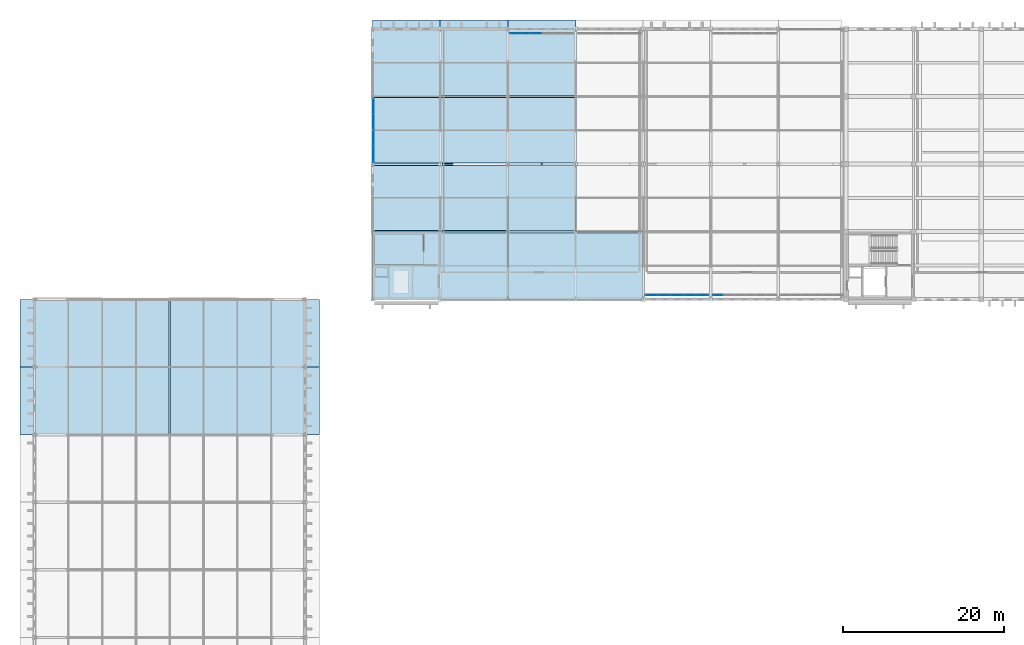
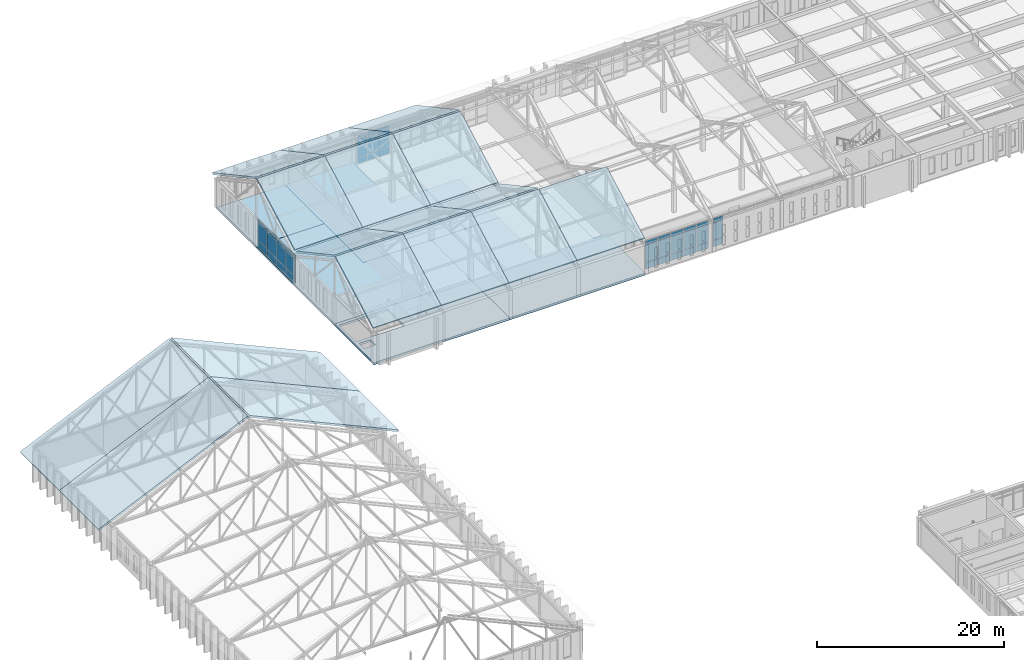
# One storey, part 58 of 110: 39 plates, 22 slabs, 4 elements without a shape of their own.
"""IFC4 building model written with IfcOpenShell, lengths in metres."""

from ifc_helpers import new_model, si_unit, direction, frame, origin, origin_2d, place, context, subcontext, project, spatial, polyline, rectangle, outline, extrude, material, layer, layer_set, type_object, element, aggregate, save


model = new_model("IFC4")

# Units and contexts
model_context = context("Model", 3, precision=1e-05, world=origin(), true_north=direction((0.0, 1.0)))
body_context = subcontext(model_context, "Body", "Model", "MODEL_VIEW")
ifc_project = project(units=[si_unit("LENGTHUNIT", "METRE"), si_unit("AREAUNIT", "SQUARE_METRE"), si_unit("VOLUMEUNIT", "CUBIC_METRE"), si_unit("PLANEANGLEUNIT", "RADIAN"), si_unit("MASSUNIT", "GRAM", prefix="KILO")], contexts=[model_context])

# Site, building, storey
site_placement = place(None, origin())
site = spatial("IfcSite", under=ifc_project, at=site_placement, CompositionType="ELEMENT")
building_placement = place(site_placement, origin())
building = spatial("IfcBuilding", under=site, at=building_placement, Name="Kveldsbrygga Polytechnic", CompositionType="ELEMENT")
storey_placement = place(building_placement, frame((0.0, 0.0, 9.860107421875)))
storey = spatial("IfcBuildingStorey", under=building, at=storey_placement, Name="L02", CompositionType="ELEMENT", Elevation=9.860107421875)

# Curtain wall, plates
ifc_material_1 = material(Name="Anodised aluminium AW-6060", Category="aluminium")
ifc_layer_1 = layer(ifc_material_1, 0.179931640625)
ifc_layer_set_1 = layer_set([ifc_layer_1], Name="Anodised aluminium AW-6060")
curtain_wall_type_1 = type_object("IfcCurtainWallType", Name="CW-CONC-A", PredefinedType="USERDEFINED", material=ifc_layer_set_1)
curtain_wall_1_placement = place(storey_placement, origin())
curtain_wall_1 = element("IfcCurtainWall", 1, at=curtain_wall_1_placement, inside=storey, type_object=curtain_wall_type_1, Name="Curtain Wall CW-L02-X-07-14", ObjectType="UNITISED CURTAIN WALL", PredefinedType="USERDEFINED")
ifc_material_2 = material(Name="Insulated triple low-E glass", Category="glass")
ifc_layer_2 = layer(ifc_material_2, 0.035888671875)
ifc_layer_set_2 = layer_set([ifc_layer_2], Name="Insulated triple low-E glass")
plate_type_1 = type_object("IfcPlateType", Name="CW-PAN-VIS36", PredefinedType="CURTAIN_PANEL", material=ifc_layer_set_2)
plate_1_placement = place(storey_placement, frame((59.67626953125, 117.050048828125, 0.059814453125), z_axis=(0.0, 0.0, 1.0), x_axis=(1.0, 0.0, 0.0)))
plate_1 = element("IfcPlate", 2, at=plate_1_placement, type_object=plate_type_1, Name="CW-01 panel 1.1", PredefinedType="CURTAIN_PANEL", context=body_context, shape_type="SweptSolid", body=[
    extrude(rectangle(XDim=1.242431640625, YDim=0.035888671875, at=origin_2d()), origin(), (0.0, 0.0, 1.0), 0.81005859375),
])
plate_2_placement = place(storey_placement, frame((59.67626953125, 117.050048828125, 0.929931640625), z_axis=(0.0, 0.0, 1.0), x_axis=(1.0, 0.0, 0.0)))
plate_2 = element("IfcPlate", 3, at=plate_2_placement, type_object=plate_type_1, Name="CW-01 panel 1.2", PredefinedType="CURTAIN_PANEL", context=body_context, shape_type="SweptSolid", body=[
    extrude(rectangle(XDim=1.242431640625, YDim=0.035888671875, at=origin_2d()), origin(), (0.0, 0.0, 1.0), 2.27001953125),
])
plate_3_placement = place(storey_placement, frame((59.67626953125, 117.050048828125, 3.260009765625), z_axis=(0.0, 0.0, 1.0), x_axis=(1.0, 0.0, 0.0)))
plate_3 = element("IfcPlate", 4, at=plate_3_placement, type_object=plate_type_1, Name="CW-01 panel 1.3", PredefinedType="CURTAIN_PANEL", context=body_context, shape_type="SweptSolid", body=[
    extrude(rectangle(XDim=1.242431640625, YDim=0.035888671875, at=origin_2d()), origin(), (0.0, 0.0, 1.0), 0.4599609375),
])
plate_4_placement = place(storey_placement, frame((60.99365234375, 117.050048828125, 0.059814453125), z_axis=(0.0, 0.0, 1.0), x_axis=(1.0, 0.0, 0.0)))
plate_4 = element("IfcPlate", 5, at=plate_4_placement, type_object=plate_type_1, Name="CW-01 panel 2.1", PredefinedType="CURTAIN_PANEL", context=body_context, shape_type="SweptSolid", body=[
    extrude(rectangle(XDim=1.2724609375, YDim=0.035888671875, at=origin_2d()), origin(), (0.0, 0.0, 1.0), 0.81005859375),
])
plate_5_placement = place(storey_placement, frame((60.99365234375, 117.050048828125, 0.929931640625), z_axis=(0.0, 0.0, 1.0), x_axis=(1.0, 0.0, 0.0)))
plate_5 = element("IfcPlate", 6, at=plate_5_placement, type_object=plate_type_1, Name="CW-01 panel 2.2", PredefinedType="CURTAIN_PANEL", context=body_context, shape_type="SweptSolid", body=[
    extrude(rectangle(XDim=1.2724609375, YDim=0.035888671875, at=origin_2d()), origin(), (0.0, 0.0, 1.0), 2.27001953125),
])
plate_6_placement = place(storey_placement, frame((60.99365234375, 117.050048828125, 3.260009765625), z_axis=(0.0, 0.0, 1.0), x_axis=(1.0, 0.0, 0.0)))
plate_6 = element("IfcPlate", 7, at=plate_6_placement, type_object=plate_type_1, Name="CW-01 panel 2.3", PredefinedType="CURTAIN_PANEL", context=body_context, shape_type="SweptSolid", body=[
    extrude(rectangle(XDim=1.2724609375, YDim=0.035888671875, at=origin_2d()), origin(), (0.0, 0.0, 1.0), 0.4599609375),
])
plate_7_placement = place(storey_placement, frame((62.326171875, 117.050048828125, 0.059814453125), z_axis=(0.0, 0.0, 1.0), x_axis=(1.0, 0.0, 0.0)))
plate_7 = element("IfcPlate", 8, at=plate_7_placement, type_object=plate_type_1, Name="CW-01 panel 3.1", PredefinedType="CURTAIN_PANEL", context=body_context, shape_type="SweptSolid", body=[
    extrude(rectangle(XDim=1.2724609375, YDim=0.035888671875, at=origin_2d()), origin(), (0.0, 0.0, 1.0), 0.81005859375),
])
plate_8_placement = place(storey_placement, frame((62.326171875, 117.050048828125, 0.929931640625), z_axis=(0.0, 0.0, 1.0), x_axis=(1.0, 0.0, 0.0)))
plate_8 = element("IfcPlate", 9, at=plate_8_placement, type_object=plate_type_1, Name="CW-01 panel 3.2", PredefinedType="CURTAIN_PANEL", context=body_context, shape_type="SweptSolid", body=[
    extrude(rectangle(XDim=1.2724609375, YDim=0.035888671875, at=origin_2d()), origin(), (0.0, 0.0, 1.0), 2.27001953125),
])
plate_9_placement = place(storey_placement, frame((62.326171875, 117.050048828125, 3.260009765625), z_axis=(0.0, 0.0, 1.0), x_axis=(1.0, 0.0, 0.0)))
plate_9 = element("IfcPlate", 10, at=plate_9_placement, type_object=plate_type_1, Name="CW-01 panel 3.3", PredefinedType="CURTAIN_PANEL", context=body_context, shape_type="SweptSolid", body=[
    extrude(rectangle(XDim=1.2724609375, YDim=0.035888671875, at=origin_2d()), origin(), (0.0, 0.0, 1.0), 0.4599609375),
])
aggregate(curtain_wall_1, [plate_1, plate_2, plate_3, plate_4, plate_5, plate_6, plate_7, plate_8, plate_9])

ifc_layer_3 = layer(ifc_material_1, 0.18994140625)
ifc_layer_set_3 = layer_set([ifc_layer_3], Name="Anodised aluminium AW-6060")
curtain_wall_type_2 = type_object("IfcCurtainWallType", Name="CW-REFC-G", PredefinedType="USERDEFINED", material=ifc_layer_set_3)
curtain_wall_2_placement = place(storey_placement, origin())
curtain_wall_2 = element("IfcCurtainWall", 11, at=curtain_wall_2_placement, inside=storey, type_object=curtain_wall_type_2, Name="Curtain Wall CW-L02-X-09-10", ObjectType="UNITISED CURTAIN WALL", PredefinedType="USERDEFINED")
plate_10_placement = place(storey_placement, frame((76.64013671875, 84.550048828125, 0.059814453125), z_axis=(0.0, 0.0, 1.0), x_axis=(1.0, 0.0, 0.0)))
plate_10 = element("IfcPlate", 12, at=plate_10_placement, type_object=plate_type_1, Name="CW-07 panel 1.1", PredefinedType="CURTAIN_PANEL", context=body_context, shape_type="SweptSolid", body=[
    extrude(rectangle(XDim=1.48046875, YDim=0.035888671875, at=origin_2d()), origin(), (0.0, 0.0, 1.0), 0.81005859375),
])
plate_11_placement = place(storey_placement, frame((76.64013671875, 84.550048828125, 0.929931640625), z_axis=(0.0, 0.0, 1.0), x_axis=(1.0, 0.0, 0.0)))
plate_11 = element("IfcPlate", 13, at=plate_11_placement, type_object=plate_type_1, Name="CW-07 panel 1.2", PredefinedType="CURTAIN_PANEL", context=body_context, shape_type="SweptSolid", body=[
    extrude(rectangle(XDim=1.48046875, YDim=0.035888671875, at=origin_2d()), origin(), (0.0, 0.0, 1.0), 2.27001953125),
])
plate_12_placement = place(storey_placement, frame((76.64013671875, 84.550048828125, 3.260009765625), z_axis=(0.0, 0.0, 1.0), x_axis=(1.0, 0.0, 0.0)))
plate_12 = element("IfcPlate", 14, at=plate_12_placement, type_object=plate_type_1, Name="CW-07 panel 1.3", PredefinedType="CURTAIN_PANEL", context=body_context, shape_type="SweptSolid", body=[
    extrude(rectangle(XDim=1.48046875, YDim=0.035888671875, at=origin_2d()), origin(), (0.0, 0.0, 1.0), 0.4599609375),
])
plate_13_placement = place(storey_placement, frame((78.214599609375, 84.550048828125, 0.059814453125), z_axis=(0.0, 0.0, 1.0), x_axis=(1.0, 0.0, 0.0)))
plate_13 = element("IfcPlate", 15, at=plate_13_placement, type_object=plate_type_1, Name="CW-07 panel 2.1", PredefinedType="CURTAIN_PANEL", context=body_context, shape_type="SweptSolid", body=[
    extrude(rectangle(XDim=1.51806640625, YDim=0.035888671875, at=origin_2d()), origin(), (0.0, 0.0, 1.0), 0.81005859375),
])
plate_14_placement = place(storey_placement, frame((78.214599609375, 84.550048828125, 0.929931640625), z_axis=(0.0, 0.0, 1.0), x_axis=(1.0, 0.0, 0.0)))
plate_14 = element("IfcPlate", 16, at=plate_14_placement, type_object=plate_type_1, Name="CW-07 panel 2.2", PredefinedType="CURTAIN_PANEL", context=body_context, shape_type="SweptSolid", body=[
    extrude(rectangle(XDim=1.51806640625, YDim=0.035888671875, at=origin_2d()), origin(), (0.0, 0.0, 1.0), 2.27001953125),
])
plate_15_placement = place(storey_placement, frame((78.214599609375, 84.550048828125, 3.260009765625), z_axis=(0.0, 0.0, 1.0), x_axis=(1.0, 0.0, 0.0)))
plate_15 = element("IfcPlate", 17, at=plate_15_placement, type_object=plate_type_1, Name="CW-07 panel 2.3", PredefinedType="CURTAIN_PANEL", context=body_context, shape_type="SweptSolid", body=[
    extrude(rectangle(XDim=1.51806640625, YDim=0.035888671875, at=origin_2d()), origin(), (0.0, 0.0, 1.0), 0.4599609375),
])
plate_16_placement = place(storey_placement, frame((79.8076171875, 84.550048828125, 0.059814453125), z_axis=(0.0, 0.0, 1.0), x_axis=(1.0, 0.0, 0.0)))
plate_16 = element("IfcPlate", 18, at=plate_16_placement, type_object=plate_type_1, Name="CW-07 panel 3.1", PredefinedType="CURTAIN_PANEL", context=body_context, shape_type="SweptSolid", body=[
    extrude(rectangle(XDim=1.51806640625, YDim=0.035888671875, at=origin_2d()), origin(), (0.0, 0.0, 1.0), 0.81005859375),
])
plate_17_placement = place(storey_placement, frame((79.8076171875, 84.550048828125, 0.929931640625), z_axis=(0.0, 0.0, 1.0), x_axis=(1.0, 0.0, 0.0)))
plate_17 = element("IfcPlate", 19, at=plate_17_placement, type_object=plate_type_1, Name="CW-07 panel 3.2", PredefinedType="CURTAIN_PANEL", context=body_context, shape_type="SweptSolid", body=[
    extrude(rectangle(XDim=1.51806640625, YDim=0.035888671875, at=origin_2d()), origin(), (0.0, 0.0, 1.0), 2.27001953125),
])
plate_18_placement = place(storey_placement, frame((79.8076171875, 84.550048828125, 3.260009765625), z_axis=(0.0, 0.0, 1.0), x_axis=(1.0, 0.0, 0.0)))
plate_18 = element("IfcPlate", 20, at=plate_18_placement, type_object=plate_type_1, Name="CW-07 panel 3.3", PredefinedType="CURTAIN_PANEL", context=body_context, shape_type="SweptSolid", body=[
    extrude(rectangle(XDim=1.51806640625, YDim=0.035888671875, at=origin_2d()), origin(), (0.0, 0.0, 1.0), 0.4599609375),
])
plate_19_placement = place(storey_placement, frame((81.400390625, 84.550048828125, 0.059814453125), z_axis=(0.0, 0.0, 1.0), x_axis=(1.0, 0.0, 0.0)))
plate_19 = element("IfcPlate", 21, at=plate_19_placement, type_object=plate_type_1, Name="CW-07 panel 4.1", PredefinedType="CURTAIN_PANEL", context=body_context, shape_type="SweptSolid", body=[
    extrude(rectangle(XDim=1.51806640625, YDim=0.035888671875, at=origin_2d()), origin(), (0.0, 0.0, 1.0), 0.81005859375),
])
plate_20_placement = place(storey_placement, frame((81.400390625, 84.550048828125, 0.929931640625), z_axis=(0.0, 0.0, 1.0), x_axis=(1.0, 0.0, 0.0)))
plate_20 = element("IfcPlate", 22, at=plate_20_placement, type_object=plate_type_1, Name="CW-07 panel 4.2", PredefinedType="CURTAIN_PANEL", context=body_context, shape_type="SweptSolid", body=[
    extrude(rectangle(XDim=1.51806640625, YDim=0.035888671875, at=origin_2d()), origin(), (0.0, 0.0, 1.0), 2.27001953125),
])
plate_21_placement = place(storey_placement, frame((81.400390625, 84.550048828125, 3.260009765625), z_axis=(0.0, 0.0, 1.0), x_axis=(1.0, 0.0, 0.0)))
plate_21 = element("IfcPlate", 23, at=plate_21_placement, type_object=plate_type_1, Name="CW-07 panel 4.3", PredefinedType="CURTAIN_PANEL", context=body_context, shape_type="SweptSolid", body=[
    extrude(rectangle(XDim=1.51806640625, YDim=0.035888671875, at=origin_2d()), origin(), (0.0, 0.0, 1.0), 0.4599609375),
])
plate_22_placement = place(storey_placement, frame((82.974853515625, 84.550048828125, 0.059814453125), z_axis=(0.0, 0.0, 1.0), x_axis=(1.0, 0.0, 0.0)))
plate_22 = element("IfcPlate", 24, at=plate_22_placement, type_object=plate_type_1, Name="CW-07 panel 5.1", PredefinedType="CURTAIN_PANEL", context=body_context, shape_type="SweptSolid", body=[
    extrude(rectangle(XDim=1.48046875, YDim=0.035888671875, at=origin_2d()), origin(), (0.0, 0.0, 1.0), 0.81005859375),
])
plate_23_placement = place(storey_placement, frame((82.974853515625, 84.550048828125, 0.929931640625), z_axis=(0.0, 0.0, 1.0), x_axis=(1.0, 0.0, 0.0)))
plate_23 = element("IfcPlate", 25, at=plate_23_placement, type_object=plate_type_1, Name="CW-07 panel 5.2", PredefinedType="CURTAIN_PANEL", context=body_context, shape_type="SweptSolid", body=[
    extrude(rectangle(XDim=1.48046875, YDim=0.035888671875, at=origin_2d()), origin(), (0.0, 0.0, 1.0), 2.27001953125),
])
plate_24_placement = place(storey_placement, frame((82.974853515625, 84.550048828125, 3.260009765625), z_axis=(0.0, 0.0, 1.0), x_axis=(1.0, 0.0, 0.0)))
plate_24 = element("IfcPlate", 26, at=plate_24_placement, type_object=plate_type_1, Name="CW-07 panel 5.3", PredefinedType="CURTAIN_PANEL", context=body_context, shape_type="SweptSolid", body=[
    extrude(rectangle(XDim=1.48046875, YDim=0.035888671875, at=origin_2d()), origin(), (0.0, 0.0, 1.0), 0.4599609375),
])
aggregate(curtain_wall_2, [plate_10, plate_11, plate_12, plate_13, plate_14, plate_15, plate_16, plate_17, plate_18, plate_19, plate_20, plate_21, plate_22, plate_23, plate_24])

ifc_layer_4 = layer(ifc_material_1, 0.199951171875)
ifc_layer_set_4 = layer_set([ifc_layer_4], Name="Anodised aluminium AW-6060")
curtain_wall_type_3 = type_object("IfcCurtainWallType", Name="CW-LANC-E", PredefinedType="USERDEFINED", material=ifc_layer_set_4)
curtain_wall_3_placement = place(storey_placement, origin())
curtain_wall_3 = element("IfcCurtainWall", 27, at=curtain_wall_3_placement, inside=storey, type_object=curtain_wall_type_3, Name="Curtain Wall CW-L02-Y-05-12", ObjectType="UNITISED CURTAIN WALL", PredefinedType="USERDEFINED")
ifc_layer_5 = layer(ifc_material_2, 0.0419921875)
ifc_layer_set_5 = layer_set([ifc_layer_5], Name="Insulated triple low-E glass")
plate_type_2 = type_object("IfcPlateType", Name="CW-PAN-VIS42", PredefinedType="CURTAIN_PANEL", material=ifc_layer_set_5)
plate_25_placement = place(storey_placement, frame((42.10009765625, 102.00927734375, 0.059814453125), z_axis=(0.0, 0.0, 1.0), x_axis=(0.0, 1.0, 0.0)))
plate_25 = element("IfcPlate", 28, at=plate_25_placement, type_object=plate_type_2, Name="CW-05 panel 1.1", PredefinedType="CURTAIN_PANEL", context=body_context, shape_type="SweptSolid", body=[
    extrude(rectangle(XDim=1.90869140625, YDim=0.0419921875, at=origin_2d()), origin(), (0.0, 0.0, 1.0), 0.81005859375),
])
plate_26_placement = place(storey_placement, frame((42.10009765625, 102.00927734375, 0.929931640625), z_axis=(0.0, 0.0, 1.0), x_axis=(0.0, 1.0, 0.0)))
plate_26 = element("IfcPlate", 29, at=plate_26_placement, type_object=plate_type_2, Name="CW-05 panel 1.2", PredefinedType="CURTAIN_PANEL", context=body_context, shape_type="SweptSolid", body=[
    extrude(rectangle(XDim=1.90869140625, YDim=0.0419921875, at=origin_2d()), origin(), (0.0, 0.0, 1.0), 2.27001953125),
])
plate_27_placement = place(storey_placement, frame((42.10009765625, 102.00927734375, 3.260009765625), z_axis=(0.0, 0.0, 1.0), x_axis=(0.0, 1.0, 0.0)))
plate_27 = element("IfcPlate", 30, at=plate_27_placement, type_object=plate_type_2, Name="CW-05 panel 1.3", PredefinedType="CURTAIN_PANEL", context=body_context, shape_type="SweptSolid", body=[
    extrude(rectangle(XDim=1.90869140625, YDim=0.0419921875, at=origin_2d()), origin(), (0.0, 0.0, 1.0), 0.4599609375),
])
plate_28_placement = place(storey_placement, frame((42.10009765625, 103.9931640625, 0.059814453125), z_axis=(0.0, 0.0, 1.0), x_axis=(0.0, 1.0, 0.0)))
plate_28 = element("IfcPlate", 31, at=plate_28_placement, type_object=plate_type_2, Name="CW-05 panel 2.1", PredefinedType="CURTAIN_PANEL", context=body_context, shape_type="SweptSolid", body=[
    extrude(rectangle(XDim=1.938720703125, YDim=0.0419921875, at=origin_2d()), origin(), (0.0, 0.0, 1.0), 0.81005859375),
])
plate_29_placement = place(storey_placement, frame((42.10009765625, 103.9931640625, 0.929931640625), z_axis=(0.0, 0.0, 1.0), x_axis=(0.0, 1.0, 0.0)))
plate_29 = element("IfcPlate", 32, at=plate_29_placement, type_object=plate_type_2, Name="CW-05 panel 2.2", PredefinedType="CURTAIN_PANEL", context=body_context, shape_type="SweptSolid", body=[
    extrude(rectangle(XDim=1.938720703125, YDim=0.0419921875, at=origin_2d()), origin(), (0.0, 0.0, 1.0), 2.27001953125),
])
plate_30_placement = place(storey_placement, frame((42.10009765625, 103.9931640625, 3.260009765625), z_axis=(0.0, 0.0, 1.0), x_axis=(0.0, 1.0, 0.0)))
plate_30 = element("IfcPlate", 33, at=plate_30_placement, type_object=plate_type_2, Name="CW-05 panel 2.3", PredefinedType="CURTAIN_PANEL", context=body_context, shape_type="SweptSolid", body=[
    extrude(rectangle(XDim=1.938720703125, YDim=0.0419921875, at=origin_2d()), origin(), (0.0, 0.0, 1.0), 0.4599609375),
])
plate_31_placement = place(storey_placement, frame((42.10009765625, 105.991943359375, 0.059814453125), z_axis=(0.0, 0.0, 1.0), x_axis=(0.0, 1.0, 0.0)))
plate_31 = element("IfcPlate", 34, at=plate_31_placement, type_object=plate_type_2, Name="CW-05 panel 3.1", PredefinedType="CURTAIN_PANEL", context=body_context, shape_type="SweptSolid", body=[
    extrude(rectangle(XDim=1.938720703125, YDim=0.0419921875, at=origin_2d()), origin(), (0.0, 0.0, 1.0), 0.81005859375),
])
plate_32_placement = place(storey_placement, frame((42.10009765625, 105.991943359375, 0.929931640625), z_axis=(0.0, 0.0, 1.0), x_axis=(0.0, 1.0, 0.0)))
plate_32 = element("IfcPlate", 35, at=plate_32_placement, type_object=plate_type_2, Name="CW-05 panel 3.2", PredefinedType="CURTAIN_PANEL", context=body_context, shape_type="SweptSolid", body=[
    extrude(rectangle(XDim=1.938720703125, YDim=0.0419921875, at=origin_2d()), origin(), (0.0, 0.0, 1.0), 2.27001953125),
])
plate_33_placement = place(storey_placement, frame((42.10009765625, 105.991943359375, 3.260009765625), z_axis=(0.0, 0.0, 1.0), x_axis=(0.0, 1.0, 0.0)))
plate_33 = element("IfcPlate", 36, at=plate_33_placement, type_object=plate_type_2, Name="CW-05 panel 3.3", PredefinedType="CURTAIN_PANEL", context=body_context, shape_type="SweptSolid", body=[
    extrude(rectangle(XDim=1.938720703125, YDim=0.0419921875, at=origin_2d()), origin(), (0.0, 0.0, 1.0), 0.4599609375),
])
plate_34_placement = place(storey_placement, frame((42.10009765625, 107.9755859375, 0.059814453125), z_axis=(0.0, 0.0, 1.0), x_axis=(0.0, 1.0, 0.0)))
plate_34 = element("IfcPlate", 37, at=plate_34_placement, type_object=plate_type_2, Name="CW-05 panel 4.1", PredefinedType="CURTAIN_PANEL", context=body_context, shape_type="SweptSolid", body=[
    extrude(rectangle(XDim=1.90869140625, YDim=0.0419921875, at=origin_2d()), origin(), (0.0, 0.0, 1.0), 0.81005859375),
])
plate_35_placement = place(storey_placement, frame((42.10009765625, 107.9755859375, 0.929931640625), z_axis=(0.0, 0.0, 1.0), x_axis=(0.0, 1.0, 0.0)))
plate_35 = element("IfcPlate", 38, at=plate_35_placement, type_object=plate_type_2, Name="CW-05 panel 4.2", PredefinedType="CURTAIN_PANEL", context=body_context, shape_type="SweptSolid", body=[
    extrude(rectangle(XDim=1.90869140625, YDim=0.0419921875, at=origin_2d()), origin(), (0.0, 0.0, 1.0), 2.27001953125),
])
plate_36_placement = place(storey_placement, frame((42.10009765625, 107.9755859375, 3.260009765625), z_axis=(0.0, 0.0, 1.0), x_axis=(0.0, 1.0, 0.0)))
plate_36 = element("IfcPlate", 39, at=plate_36_placement, type_object=plate_type_2, Name="CW-05 panel 4.3", PredefinedType="CURTAIN_PANEL", context=body_context, shape_type="SweptSolid", body=[
    extrude(rectangle(XDim=1.90869140625, YDim=0.0419921875, at=origin_2d()), origin(), (0.0, 0.0, 1.0), 0.4599609375),
])
aggregate(curtain_wall_3, [plate_25, plate_26, plate_27, plate_28, plate_29, plate_30, plate_31, plate_32, plate_33, plate_34, plate_35, plate_36])

ifc_layer_6 = layer(ifc_material_1, 0.2099609375)
ifc_layer_set_6 = layer_set([ifc_layer_6], Name="Anodised aluminium AW-6060")
curtain_wall_type_4 = type_object("IfcCurtainWallType", Name="CW-LIBR-H", PredefinedType="USERDEFINED", material=ifc_layer_set_6)
curtain_wall_4_placement = place(storey_placement, origin())
curtain_wall_4 = element("IfcCurtainWall", 40, at=curtain_wall_4_placement, inside=storey, type_object=curtain_wall_type_4, Name="Curtain Wall CW-L02-X-10-10", ObjectType="UNITISED CURTAIN WALL", PredefinedType="USERDEFINED")
plate_37_placement = place(storey_placement, frame((84.89501953125, 84.550048828125, 0.059814453125), z_axis=(0.0, 0.0, 1.0), x_axis=(1.0, 0.0, 0.0)))
plate_37 = element("IfcPlate", 41, at=plate_37_placement, type_object=plate_type_2, Name="CW-08 panel 1.1", PredefinedType="CURTAIN_PANEL", context=body_context, shape_type="SweptSolid", body=[
    extrude(rectangle(XDim=1.219970703125, YDim=0.0419921875, at=origin_2d()), origin(), (0.0, 0.0, 1.0), 0.81005859375),
])
plate_38_placement = place(storey_placement, frame((84.89501953125, 84.550048828125, 0.929931640625), z_axis=(0.0, 0.0, 1.0), x_axis=(1.0, 0.0, 0.0)))
plate_38 = element("IfcPlate", 42, at=plate_38_placement, type_object=plate_type_2, Name="CW-08 panel 1.2", PredefinedType="CURTAIN_PANEL", context=body_context, shape_type="SweptSolid", body=[
    extrude(rectangle(XDim=1.219970703125, YDim=0.0419921875, at=origin_2d()), origin(), (0.0, 0.0, 1.0), 2.27001953125),
])
plate_39_placement = place(storey_placement, frame((84.89501953125, 84.550048828125, 3.260009765625), z_axis=(0.0, 0.0, 1.0), x_axis=(1.0, 0.0, 0.0)))
plate_39 = element("IfcPlate", 43, at=plate_39_placement, type_object=plate_type_2, Name="CW-08 panel 1.3", PredefinedType="CURTAIN_PANEL", context=body_context, shape_type="SweptSolid", body=[
    extrude(rectangle(XDim=1.219970703125, YDim=0.0419921875, at=origin_2d()), origin(), (0.0, 0.0, 1.0), 0.4599609375),
])
aggregate(curtain_wall_4, [plate_37, plate_38, plate_39])

# Slabs
ifc_material_3 = material(Name="Concrete C35/45", Category="concrete")
ifc_layer_7 = layer(ifc_material_3, 0.239990234375)
ifc_layer_set_7 = layer_set([ifc_layer_7], Name="Concrete C35/45")
slab_type_1 = type_object("IfcSlabType", Name="SLB-ROOF-240", PredefinedType="ROOF", material=ifc_layer_set_7)
slab_1_placement = place(storey_placement, frame((-1.800048828125, 67.199951171875, 3.728515625), z_axis=(-0.412160019551, 0.0, 0.911111474126), x_axis=(0.911111474126, 0.0, 0.412160019551)))
element("IfcSlab", 44, at=slab_1_placement, inside=storey, type_object=slab_type_1, Name="Pitched Roof Slab V1W-RSLB-6-1", PredefinedType="ROOF", context=body_context, shape_type="SweptSolid", body=[
    extrude(outline(polyline([(0.0, 0.0), (20.284237106776043, 0.0), (20.284237106776043, 8.400146484375), (0.0, 8.400146484375), (0.0, 0.0)])), origin(), (0.0, 0.0, -1.0), 0.239990234375),
])
slab_2_placement = place(storey_placement, frame((16.9189453125, 67.199951171875, 12.0888671875), z_axis=(0.41216453939, 0.0, 0.91110942947), x_axis=(0.91110942947, 0.0, -0.41216453939)))
element("IfcSlab", 45, at=slab_2_placement, inside=storey, type_object=slab_type_1, Name="Pitched Roof Slab V1W-RSLB-6-2", PredefinedType="ROOF", context=body_context, shape_type="SweptSolid", body=[
    extrude(outline(polyline([(0.0, 0.0), (20.284014667700895, 0.0), (20.284014667700895, 8.400146484375002), (0.0, 8.400146484375002), (0.0, 0.0)])), origin(), (0.0, 0.0, -1.0), 0.239990234375),
])
slab_3_placement = place(storey_placement, frame((-1.800048828125, 75.60009765625, 3.728515625), z_axis=(-0.412160019551, 0.0, 0.911111474126), x_axis=(0.911111474126, 0.0, 0.412160019551)))
element("IfcSlab", 46, at=slab_3_placement, inside=storey, type_object=slab_type_1, Name="Pitched Roof Slab V1W-RSLB-7-1", PredefinedType="ROOF", context=body_context, shape_type="SweptSolid", body=[
    extrude(outline(polyline([(0.0, 0.0), (20.284237106776043, 0.0), (20.284237106776043, 8.39990234375), (0.0, 8.39990234375), (0.0, 0.0)])), origin(), (0.0, 0.0, -1.0), 0.239990234375),
])
slab_4_placement = place(storey_placement, frame((16.9189453125, 75.60009765625, 12.0888671875), z_axis=(0.41216453939, 0.0, 0.91110942947), x_axis=(0.91110942947, 0.0, -0.41216453939)))
element("IfcSlab", 47, at=slab_4_placement, inside=storey, type_object=slab_type_1, Name="Pitched Roof Slab V1W-RSLB-7-2", PredefinedType="ROOF", context=body_context, shape_type="SweptSolid", body=[
    extrude(outline(polyline([(0.0, 0.0), (20.284014667700895, 0.0), (20.284014667700895, 8.39990234375), (0.0, 8.39990234375), (0.0, 0.0)])), origin(), (0.0, 0.0, -1.0), 0.239990234375),
])
slab_5_placement = place(storey_placement, frame((42.0, 84.1201171875, 4.52734375), z_axis=(0.0, -0.476279752512, 0.879293806044), x_axis=(1.0, 0.0, 0.0)))
element("IfcSlab", 48, at=slab_5_placement, inside=storey, type_object=slab_type_1, Name="Pitched Roof Slab V2L1-RSLB-1-1", PredefinedType="ROOF", context=body_context, shape_type="SweptSolid", body=[
    extrude(outline(polyline([(0.0, 0.0), (8.39990234375, 0.0), (8.39990234375, 9.263692927794047), (0.0, 9.263692927794047), (0.0, 0.0)])), origin(), (0.0, 0.0, -1.0), 0.239990234375),
])
slab_6_placement = place(storey_placement, frame((42.0, 92.5341796875, 8.939453125), z_axis=(0.0, 0.476281444297, 0.879292889666), x_axis=(1.0, 0.0, 0.0)))
element("IfcSlab", 49, at=slab_6_placement, inside=storey, type_object=slab_type_1, Name="Pitched Roof Slab V2L1-RSLB-1-2", PredefinedType="ROOF", context=body_context, shape_type="SweptSolid", body=[
    extrude(outline(polyline([(0.0, 0.0), (8.39990234375, 0.0), (8.39990234375, 9.22982859480255), (0.0, 9.22982859480255), (0.0, 0.0)])), origin(), (0.0, 0.0, -1.0), 0.239990234375),
])
slab_7_placement = place(storey_placement, frame((50.39990234375, 84.1201171875, 4.52734375), z_axis=(0.0, -0.476279752512, 0.879293806044), x_axis=(1.0, 0.0, 0.0)))
element("IfcSlab", 50, at=slab_7_placement, inside=storey, type_object=slab_type_1, Name="Pitched Roof Slab V2L1-RSLB-2-1", PredefinedType="ROOF", context=body_context, shape_type="SweptSolid", body=[
    extrude(outline(polyline([(0.0, 0.0), (8.400146484375, 0.0), (8.400146484375, 9.263692927794047), (0.0, 9.263692927794047), (0.0, 0.0)])), origin(), (0.0, 0.0, -1.0), 0.239990234375),
])
slab_8_placement = place(storey_placement, frame((50.39990234375, 92.5341796875, 8.939453125), z_axis=(0.0, 0.476281444297, 0.879292889666), x_axis=(1.0, 0.0, 0.0)))
element("IfcSlab", 51, at=slab_8_placement, inside=storey, type_object=slab_type_1, Name="Pitched Roof Slab V2L1-RSLB-2-2", PredefinedType="ROOF", context=body_context, shape_type="SweptSolid", body=[
    extrude(outline(polyline([(0.0, 0.0), (8.400146484375, 0.0), (8.400146484375, 9.229828594802552), (0.0, 9.229828594802552), (0.0, 0.0)])), origin(), (0.0, 0.0, -1.0), 0.239990234375),
])
slab_9_placement = place(storey_placement, frame((58.800048828125, 84.1201171875, 4.52734375), z_axis=(0.0, -0.476279752512, 0.879293806044), x_axis=(1.0, 0.0, 0.0)))
element("IfcSlab", 52, at=slab_9_placement, inside=storey, type_object=slab_type_1, Name="Pitched Roof Slab V2L1-RSLB-3-1", PredefinedType="ROOF", context=body_context, shape_type="SweptSolid", body=[
    extrude(outline(polyline([(0.0, 0.0), (8.39990234375, 0.0), (8.39990234375, 9.263692927794047), (0.0, 9.263692927794047), (0.0, 0.0)])), origin(), (0.0, 0.0, -1.0), 0.239990234375),
])
slab_10_placement = place(storey_placement, frame((58.800048828125, 92.5341796875, 8.939453125), z_axis=(0.0, 0.476281444297, 0.879292889666), x_axis=(1.0, 0.0, 0.0)))
element("IfcSlab", 53, at=slab_10_placement, inside=storey, type_object=slab_type_1, Name="Pitched Roof Slab V2L1-RSLB-3-2", PredefinedType="ROOF", context=body_context, shape_type="SweptSolid", body=[
    extrude(outline(polyline([(0.0, 0.0), (8.39990234375, 0.0), (8.39990234375, 9.22982859480255), (0.0, 9.22982859480255), (0.0, 0.0)])), origin(), (0.0, 0.0, -1.0), 0.239990234375),
])
slab_11_placement = place(storey_placement, frame((67.199951171875, 84.1201171875, 4.52734375), z_axis=(0.0, -0.476279752512, 0.879293806044), x_axis=(1.0, 0.0, 0.0)))
element("IfcSlab", 54, at=slab_11_placement, inside=storey, type_object=slab_type_1, Name="Pitched Roof Slab V2L1-RSLB-4-1", PredefinedType="ROOF", context=body_context, shape_type="SweptSolid", body=[
    extrude(outline(polyline([(0.0, 0.0), (8.400146484375, 0.0), (8.400146484375, 9.263692927794047), (0.0, 9.263692927794047), (0.0, 0.0)])), origin(), (0.0, 0.0, -1.0), 0.239990234375),
])
slab_12_placement = place(storey_placement, frame((42.0, 100.949951171875, 4.54345703125), z_axis=(0.0, -0.476281444297, 0.879292889666), x_axis=(1.0, 0.0, 0.0)))
element("IfcSlab", 55, at=slab_12_placement, inside=storey, type_object=slab_type_1, Name="Pitched Roof Slab V2L2-RSLB-1-1", PredefinedType="ROOF", context=body_context, shape_type="SweptSolid", body=[
    extrude(outline(polyline([(0.0, 0.0), (8.39990234375, 0.0), (8.39990234375, 9.22982859480255), (0.0, 9.22982859480255), (0.0, 0.0)])), origin(), (0.0, 0.0, -1.0), 0.239990234375),
])
slab_13_placement = place(storey_placement, frame((42.0, 109.334228515625, 8.939453125), z_axis=(0.0, 0.476275764573, 0.879295966146), x_axis=(1.0, 0.0, 0.0)))
element("IfcSlab", 56, at=slab_13_placement, inside=storey, type_object=slab_type_1, Name="Pitched Roof Slab V2L2-RSLB-1-2", PredefinedType="ROOF", context=body_context, shape_type="SweptSolid", body=[
    extrude(outline(polyline([(0.0, 0.0), (8.39990234375, 0.0), (8.39990234375, 10.651388175134363), (0.0, 10.651388175134363), (0.0, 0.0)])), origin(), (0.0, 0.0, -1.0), 0.239990234375),
])
slab_14_placement = place(storey_placement, frame((50.39990234375, 100.949951171875, 4.54345703125), z_axis=(0.0, -0.476281444297, 0.879292889666), x_axis=(1.0, 0.0, 0.0)))
element("IfcSlab", 57, at=slab_14_placement, inside=storey, type_object=slab_type_1, Name="Pitched Roof Slab V2L2-RSLB-2-1", PredefinedType="ROOF", context=body_context, shape_type="SweptSolid", body=[
    extrude(outline(polyline([(0.0, 0.0), (8.400146484375, 0.0), (8.400146484375, 9.229828594802552), (0.0, 9.229828594802552), (0.0, 0.0)])), origin(), (0.0, 0.0, -1.0), 0.239990234375),
])
slab_15_placement = place(storey_placement, frame((50.39990234375, 109.334228515625, 8.939453125), z_axis=(0.0, 0.476275764573, 0.879295966146), x_axis=(1.0, 0.0, 0.0)))
element("IfcSlab", 58, at=slab_15_placement, inside=storey, type_object=slab_type_1, Name="Pitched Roof Slab V2L2-RSLB-2-2", PredefinedType="ROOF", context=body_context, shape_type="SweptSolid", body=[
    extrude(outline(polyline([(0.0, 0.0), (8.400146484375, 0.0), (8.400146484375, 10.651388175134363), (0.0, 10.651388175134363), (0.0, 0.0)])), origin(), (0.0, 0.0, -1.0), 0.239990234375),
])
slab_16_placement = place(storey_placement, frame((58.800048828125, 100.949951171875, 4.54345703125), z_axis=(0.0, -0.476281444297, 0.879292889666), x_axis=(1.0, 0.0, 0.0)))
element("IfcSlab", 59, at=slab_16_placement, inside=storey, type_object=slab_type_1, Name="Pitched Roof Slab V2L2-RSLB-3-1", PredefinedType="ROOF", context=body_context, shape_type="SweptSolid", body=[
    extrude(outline(polyline([(0.0, 0.0), (8.39990234375, 0.0), (8.39990234375, 9.22982859480255), (0.0, 9.22982859480255), (0.0, 0.0)])), origin(), (0.0, 0.0, -1.0), 0.239990234375),
])
slab_17_placement = place(storey_placement, frame((58.800048828125, 109.334228515625, 8.939453125), z_axis=(0.0, 0.476275764573, 0.879295966146), x_axis=(1.0, 0.0, 0.0)))
element("IfcSlab", 60, at=slab_17_placement, inside=storey, type_object=slab_type_1, Name="Pitched Roof Slab V2L2-RSLB-3-2", PredefinedType="ROOF", context=body_context, shape_type="SweptSolid", body=[
    extrude(outline(polyline([(0.0, 0.0), (8.39990234375, 0.0), (8.39990234375, 10.651388175134363), (0.0, 10.651388175134363), (0.0, 0.0)])), origin(), (0.0, 0.0, -1.0), 0.239990234375),
])
ifc_layer_8 = layer(ifc_material_3, 0.280029296875)
ifc_layer_set_8 = layer_set([ifc_layer_8], Name="Concrete C35/45")
slab_type_2 = type_object("IfcSlabType", Name="SLB-STD-280", PredefinedType="FLOOR", material=ifc_layer_set_8)
slab_18_placement = place(storey_placement, frame((0.0, 0.0, -0.280029296875)))
element("IfcSlab", 61, at=slab_18_placement, inside=storey, type_object=slab_type_2, Name="Slab SLB-L02-V2-L01-1", PredefinedType="FLOOR", context=body_context, shape_type="SweptSolid", body=[
    extrude(outline(polyline([(42.0, 92.39990234375), (42.0, 100.800048828125), (42.0, 109.199951171875), (50.39990234375, 109.199951171875), (50.39990234375, 100.800048828125), (58.800048828125, 100.800048828125), (58.800048828125, 92.39990234375), (50.39990234375, 92.39990234375), (42.0, 92.39990234375)])), origin(), (0.0, 0.0, 1.0), 0.280029296875),
])
slab_19_placement = place(storey_placement, frame((0.0, 0.0, -0.280029296875)))
element("IfcSlab", 62, at=slab_19_placement, inside=storey, type_object=slab_type_2, Name="Slab SLB-L02-V2-L02-1", PredefinedType="FLOOR", context=body_context, shape_type="SweptSolid", body=[
    extrude(outline(polyline([(50.39990234375, 100.800048828125), (50.39990234375, 109.199951171875), (50.39990234375, 117.60009765625), (58.800048828125, 117.60009765625), (58.800048828125, 109.199951171875), (67.199951171875, 109.199951171875), (67.199951171875, 100.800048828125), (58.800048828125, 100.800048828125), (50.39990234375, 100.800048828125)])), origin(), (0.0, 0.0, 1.0), 0.280029296875),
])
slab_20_placement = place(storey_placement, frame((0.0, 0.0, -0.280029296875)))
element("IfcSlab", 63, at=slab_20_placement, inside=storey, type_object=slab_type_2, Name="Slab SLB-L02-V2-L03-1", PredefinedType="FLOOR", context=body_context, shape_type="SweptSolid", body=[
    extrude(outline(polyline([(58.800048828125, 84.0), (58.800048828125, 92.39990234375), (58.800048828125, 100.800048828125), (67.199951171875, 100.800048828125), (67.199951171875, 92.39990234375), (75.60009765625, 92.39990234375), (75.60009765625, 84.0), (67.199951171875, 84.0), (58.800048828125, 84.0)])), origin(), (0.0, 0.0, 1.0), 0.280029296875),
])
slab_21_placement = place(storey_placement, frame((0.0, 0.0, -0.280029296875)))
element("IfcSlab", 64, at=slab_21_placement, inside=storey, type_object=slab_type_2, Name="Slab SLB-L02-V2-Z7-1", PredefinedType="FLOOR", context=body_context, shape_type="SweptSolid", body=[
    extrude(outline(polyline([(42.0, 84.0), (42.0, 92.39990234375), (50.39990234375, 92.39990234375), (58.800048828125, 92.39990234375), (58.800048828125, 84.0), (50.39990234375, 84.0), (42.0, 84.0)]), holes=[polyline([(48.324951171875, 92.0), (42.300048828125, 92.0), (42.300048828125, 88.39990234375), (48.324951171875, 88.39990234375), (48.324951171875, 92.0)]), polyline([(42.449951171875, 86.85009765625), (43.85009765625, 86.85009765625), (43.85009765625, 87.949951171875), (42.449951171875, 87.949951171875), (42.449951171875, 86.85009765625)])]), origin(), (0.0, 0.0, 1.0), 0.280029296875),
])
slab_22_placement = place(storey_placement, frame((0.0, 0.0, -0.280029296875)))
element("IfcSlab", 65, at=slab_22_placement, inside=storey, type_object=slab_type_2, Name="Slab SLB-L02-V2-Z7-2", PredefinedType="FLOOR", context=body_context, shape_type="SweptSolid", body=[
    extrude(outline(polyline([(42.0, 117.60009765625), (50.39990234375, 117.60009765625), (50.39990234375, 109.199951171875), (42.0, 109.199951171875), (42.0, 117.60009765625)])), origin(), (0.0, 0.0, 1.0), 0.280029296875),
])

save(model, "model.ifc")
